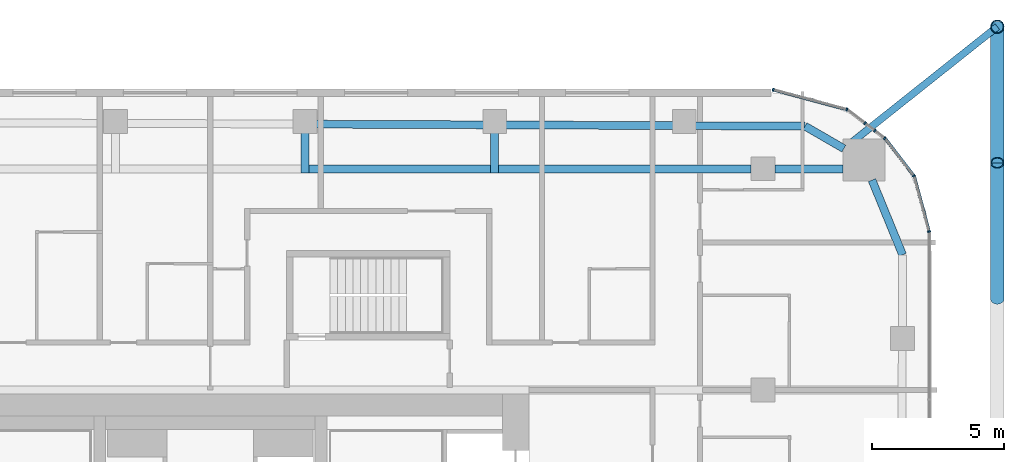
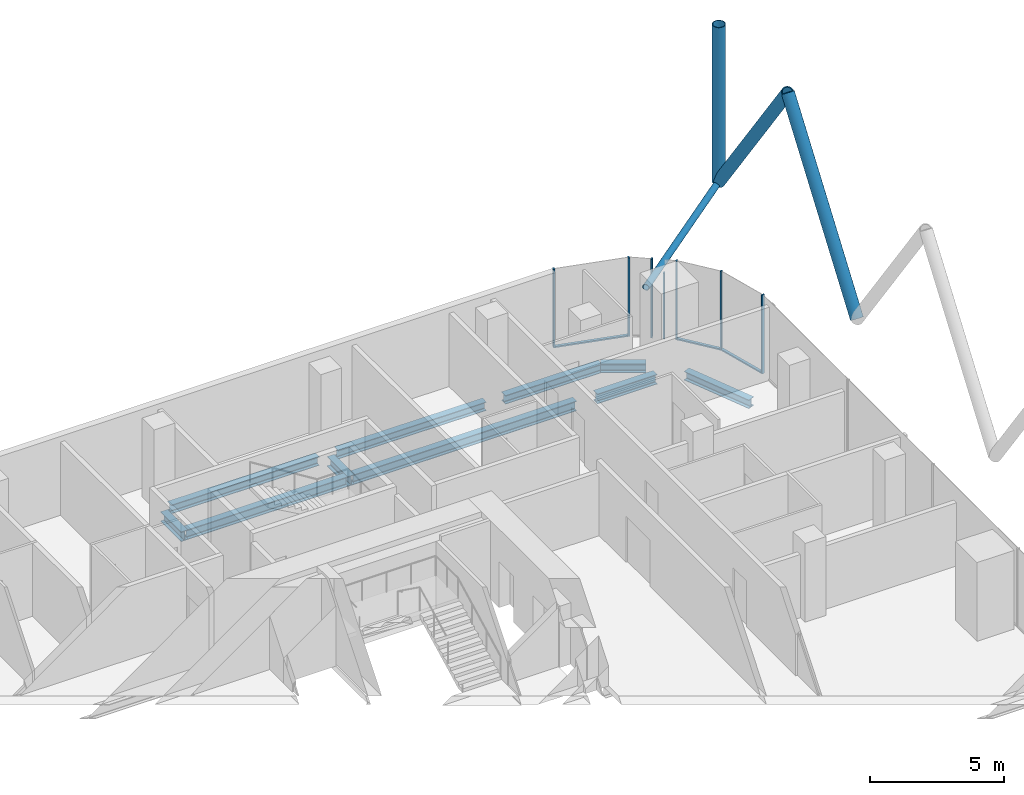
# One storey, part 14 of 33: 14 members, 10 beams, 6 elements without a shape of their own.
"""IFC4 building model written with IfcOpenShell, lengths in metres."""

from ifc_helpers import new_model, si_unit, direction, frame, origin, origin_2d, place, context, subcontext, project, spatial, rectangle, hollow_circle, i_section, extrude, material, layer, layer_set, material_profile, profile_set, type_object, element, aggregate, save


model = new_model("IFC4")

# Units and contexts
model_context = context("Model", 3, precision=1e-05, world=origin(), true_north=direction((0.0, 1.0)))
body_context = subcontext(model_context, "Body", "Model", "MODEL_VIEW")
ifc_project = project(units=[si_unit("LENGTHUNIT", "METRE"), si_unit("AREAUNIT", "SQUARE_METRE"), si_unit("VOLUMEUNIT", "CUBIC_METRE"), si_unit("PLANEANGLEUNIT", "RADIAN"), si_unit("MASSUNIT", "GRAM", prefix="KILO")], contexts=[model_context])

# Site, building, storey
site_placement = place(None, origin())
site = spatial("IfcSite", under=ifc_project, at=site_placement, CompositionType="ELEMENT")
building_placement = place(site_placement, origin())
building = spatial("IfcBuilding", under=site, at=building_placement, Name="Marenta Gate Hotel Tower", CompositionType="ELEMENT")
storey_placement = place(building_placement, frame((0.0, 0.0, 108.5)))
storey = spatial("IfcBuildingStorey", under=building, at=storey_placement, Name="L23", CompositionType="ELEMENT", Elevation=108.5)

# Members
ifc_material_1 = material(Name="Steel S355J2W", Category="steel")
ifc_material_profile_1 = material_profile(ifc_material_1, hollow_circle(Radius=0.25390625, WallThickness=0.02490234375, at=origin_2d()), Name="CHS 508x25")
ifc_profile_set_1 = profile_set([ifc_material_profile_1], Name="Steel S355J2W")
member_type_1 = type_object("IfcMemberType", Name="Diagrid corner post Z2 CHS 508x25", PredefinedType="POST", material=ifc_profile_set_1)
member_1_placement = place(storey_placement, frame((29.89990234375, 30.60009765625, 3.139892578125), z_axis=(0.0, 0.0, 1.0), x_axis=(1.0, 0.0, 0.0)))
element("IfcMember", 1, at=member_1_placement, inside=storey, type_object=member_type_1, Name="L23-DR-1", PredefinedType="POST", context=body_context, shape_type="SweptSolid", body=[
    extrude(hollow_circle(Radius=0.25390625, WallThickness=0.02490234375, at=origin_2d()), origin(), (0.0, 0.0, 1.0), 7.2001953125),
])
ifc_material_2 = material(Name="Steel S355J2W", Category="steel")
ifc_material_profile_2 = material_profile(ifc_material_2, hollow_circle(Radius=0.25390625, WallThickness=0.0400390625, at=origin_2d()), Name="CHS 508x40")
ifc_profile_set_2 = profile_set([ifc_material_profile_2], Name="Steel S355J2W")
member_type_2 = type_object("IfcMemberType", Name="Diagrid diagonal Z2 CHS 508x40", PredefinedType="BRACE", material=ifc_profile_set_2)
member_2_placement = place(storey_placement, frame((29.89990234375, 30.60009765625, 3.139892578125), z_axis=(0.0, -0.583265964901, 0.81228124082), x_axis=(1.0, 0.0, 0.0)))
element("IfcMember", 2, at=member_2_placement, inside=storey, type_object=member_type_2, Name="L23-DG-1", PredefinedType="BRACE", context=body_context, shape_type="SweptSolid", body=[
    extrude(hollow_circle(Radius=0.25390625, WallThickness=0.0400390625, at=origin_2d()), origin(), (0.0, 0.0, 1.0), 8.8642578125),
])
member_3_placement = place(storey_placement, frame((29.89990234375, 20.260009765625, 3.139892578125), z_axis=(0.0, 0.583247791947, 0.812294289767), x_axis=(-1.0, 0.0, 0.0)))
element("IfcMember", 3, at=member_3_placement, inside=storey, type_object=member_type_2, Name="L23-DG-2", PredefinedType="BRACE", context=body_context, shape_type="SweptSolid", body=[
    extrude(hollow_circle(Radius=0.25390625, WallThickness=0.0400390625, at=origin_2d()), origin(), (0.0, 0.0, 1.0), 8.864013671875),
])

# Beams
ifc_material_3 = material(Name="Steel S355", Category="steel")
ifc_material_profile_3 = material_profile(ifc_material_3, i_section(OverallWidth=0.300048828125, OverallDepth=0.39990234375, WebThickness=0.013427734375, FlangeThickness=0.02392578125, FilletRadius=0.027099609375, at=origin_2d()), Name="HEB 400")
ifc_profile_set_3 = profile_set([ifc_material_profile_3], Name="Steel S355")
beam_type_1 = type_object("IfcBeamType", Name="Edge beam HEB 400", PredefinedType="SPANDREL", material=ifc_profile_set_3)
beam_1_placement = place(storey_placement, frame((4.011474609375, 26.89697265625, -0.4599609375), z_axis=(0.999991780119, -0.004054589324, 0.0), x_axis=(0.004054589324, 0.999991780119, 0.0)))
element("IfcBeam", 4, at=beam_1_placement, inside=storey, type_object=beam_type_1, Name="L23-EB-17", PredefinedType="SPANDREL", context=body_context, shape_type="SweptSolid", body=[
    extrude(i_section(OverallWidth=0.300048828125, OverallDepth=0.39990234375, WebThickness=0.013427734375, FlangeThickness=0.02392578125, FilletRadius=0.027099609375, at=origin_2d()), origin(), (0.0, 0.0, 1.0), 6.382568359375),
])
beam_2_placement = place(storey_placement, frame((11.214111328125, 26.86767578125, -0.4599609375), z_axis=(0.999991780748, -0.00405443424, 0.0), x_axis=(0.00405443424, 0.999991780748, 0.0)))
element("IfcBeam", 5, at=beam_2_placement, inside=storey, type_object=beam_type_1, Name="L23-EB-18", PredefinedType="SPANDREL", context=body_context, shape_type="SweptSolid", body=[
    extrude(i_section(OverallWidth=0.300048828125, OverallDepth=0.39990234375, WebThickness=0.013427734375, FlangeThickness=0.02392578125, FilletRadius=0.027099609375, at=origin_2d()), origin(), (0.0, 0.0, 1.0), 6.3828125),
])
beam_3_placement = place(storey_placement, frame((18.4169921875, 26.83837890625, -0.4599609375), z_axis=(0.999991621459, -0.004093532953, 0.0), x_axis=(0.004093532953, 0.999991621459, 0.0)))
element("IfcBeam", 6, at=beam_3_placement, inside=storey, type_object=beam_type_1, Name="L23-EB-19", PredefinedType="SPANDREL", context=body_context, shape_type="SweptSolid", body=[
    extrude(i_section(OverallWidth=0.300048828125, OverallDepth=0.39990234375, WebThickness=0.013427734375, FlangeThickness=0.02392578125, FilletRadius=0.027099609375, at=origin_2d()), origin(), (0.0, 0.0, 1.0), 4.1748046875),
])
beam_4_placement = place(storey_placement, frame((22.591796875, 26.8212890625, -0.4599609375), z_axis=(0.866016478054, -0.500015459501, 0.0), x_axis=(0.500015459501, 0.866016478054, 0.0)))
element("IfcBeam", 7, at=beam_4_placement, inside=storey, type_object=beam_type_1, Name="L23-EB-20", PredefinedType="SPANDREL", context=body_context, shape_type="SweptSolid", body=[
    extrude(i_section(OverallWidth=0.300048828125, OverallDepth=0.39990234375, WebThickness=0.013427734375, FlangeThickness=0.02392578125, FilletRadius=0.027099609375, at=origin_2d()), origin(), (0.0, 0.0, 1.0), 1.70703125),
])
beam_5_placement = place(storey_placement, frame((25.138916015625, 24.7724609375, -0.4599609375), z_axis=(0.378682450416, -0.925526661824, 0.0), x_axis=(0.925526661824, 0.378682450416, 0.0)))
element("IfcBeam", 8, at=beam_5_placement, inside=storey, type_object=beam_type_1, Name="L23-EB-21", PredefinedType="SPANDREL", context=body_context, shape_type="SweptSolid", body=[
    extrude(i_section(OverallWidth=0.300048828125, OverallDepth=0.39990234375, WebThickness=0.013427734375, FlangeThickness=0.02392578125, FilletRadius=0.027099609375, at=origin_2d()), origin(), (0.0, 0.0, 1.0), 3.066162109375),
])

# Member
ifc_material_4 = material(Name="Steel S355J2W", Category="steel")
ifc_material_profile_4 = material_profile(ifc_material_4, hollow_circle(Radius=0.136474609375, WallThickness=0.012451171875, at=origin_2d()), Name="CHS 273x12.5")
ifc_profile_set_4 = profile_set([ifc_material_profile_4], Name="Steel S355J2W")
member_type_3 = type_object("IfcMemberType", Name="Floor tie CHS 273x12.5", PredefinedType="STRUT", material=ifc_profile_set_4)
member_4_placement = place(storey_placement, frame((29.89990234375, 30.60009765625, 3.139892578125), z_axis=(-0.782942525187, -0.622094046149, 0.0), x_axis=(0.622094046149, -0.782942525187, 0.0)))
element("IfcMember", 9, at=member_4_placement, inside=storey, type_object=member_type_3, Name="L23-DR-7", PredefinedType="STRUT", context=body_context, shape_type="SweptSolid", body=[
    extrude(hollow_circle(Radius=0.136474609375, WallThickness=0.012451171875, at=origin_2d()), origin(), (0.0, 0.0, 1.0), 7.43896484375),
])

# Beams
ifc_material_5 = material(Name="Steel S355", Category="steel")
ifc_material_profile_5 = material_profile(ifc_material_5, i_section(OverallWidth=0.300048828125, OverallDepth=0.449951171875, WebThickness=0.013916015625, FlangeThickness=0.02587890625, FilletRadius=0.027099609375, at=origin_2d()), Name="HEB 450")
ifc_profile_set_5 = profile_set([ifc_material_profile_5], Name="Steel S355")
beam_type_2 = type_object("IfcBeamType", Name="Girder HEB 450", PredefinedType="BEAM", material=ifc_profile_set_5)
beam_6_placement = place(storey_placement, frame((3.75146484375, 25.199951171875, -0.485107421875), z_axis=(1.0, 0.0, 0.0), x_axis=(0.0, 1.0, 0.0)))
element("IfcBeam", 10, at=beam_6_placement, inside=storey, type_object=beam_type_2, Name="L23-GD-33", PredefinedType="BEAM", context=body_context, shape_type="SweptSolid", body=[
    extrude(i_section(OverallWidth=0.300048828125, OverallDepth=0.449951171875, WebThickness=0.013916015625, FlangeThickness=0.02587890625, FilletRadius=0.027099609375, at=origin_2d()), origin(), (0.0, 0.0, 1.0), 6.902587890625),
])
beam_7_placement = place(storey_placement, frame((10.9541015625, 25.199951171875, -0.485107421875), z_axis=(1.0, 0.0, 0.0), x_axis=(0.0, 1.0, 0.0)))
element("IfcBeam", 11, at=beam_7_placement, inside=storey, type_object=beam_type_2, Name="L23-GD-34", PredefinedType="BEAM", context=body_context, shape_type="SweptSolid", body=[
    extrude(i_section(OverallWidth=0.300048828125, OverallDepth=0.449951171875, WebThickness=0.013916015625, FlangeThickness=0.02587890625, FilletRadius=0.027099609375, at=origin_2d()), origin(), (0.0, 0.0, 1.0), 9.595947265625),
])
beam_8_placement = place(storey_placement, frame((21.449951171875, 25.199951171875, -0.485107421875), z_axis=(1.0, 0.0, 0.0), x_axis=(0.0, 1.0, 0.0)))
element("IfcBeam", 12, at=beam_8_placement, inside=storey, type_object=beam_type_2, Name="L23-GD-35", PredefinedType="BEAM", context=body_context, shape_type="SweptSolid", body=[
    extrude(i_section(OverallWidth=0.300048828125, OverallDepth=0.449951171875, WebThickness=0.013916015625, FlangeThickness=0.02587890625, FilletRadius=0.027099609375, at=origin_2d()), origin(), (0.0, 0.0, 1.0), 2.58544921875),
])
ifc_material_6 = material(Name="Steel S355", Category="steel")
ifc_material_profile_6 = material_profile(ifc_material_6, i_section(OverallWidth=0.300048828125, OverallDepth=0.449951171875, WebThickness=0.013916015625, FlangeThickness=0.02587890625, FilletRadius=0.027099609375, at=origin_2d()), Name="HEB 450")
ifc_profile_set_6 = profile_set([ifc_material_profile_6], Name="Steel S355")
beam_type_3 = type_object("IfcBeamType", Name="Girder bracket HEB 450", PredefinedType="BEAM", material=ifc_profile_set_6)
for number, where, z_axis, x_axis, name in (
    (13, (3.601318359375, 25.050048828125, -0.485107421875), (0.0, 1.0, 0.0), (-1.0, 0.0, 0.0), "L23-GS-3"),
    (14, (10.80419921875, 25.050048828125, -0.485107421875), (0.0, 1.0, 0.0), (-1.0, 0.0, 0.0), "L23-GS-4"),
):
    element("IfcBeam", number, at=place(storey_placement, frame(where, z_axis=z_axis, x_axis=x_axis)), inside=storey, type_object=beam_type_3, Name=name, PredefinedType="BEAM", context=body_context, shape_type="SweptSolid", body=[
        extrude(i_section(OverallWidth=0.300048828125, OverallDepth=0.449951171875, WebThickness=0.013916015625, FlangeThickness=0.02587890625, FilletRadius=0.027099609375, at=origin_2d()), origin(), (0.0, 0.0, 1.0), 1.5400390625),
    ])

# Curtain wall, member
ifc_material_7 = material(Name="Tinted insulated glass in bronze anodised frame", Category="glass")
ifc_layer = layer(ifc_material_7, 0.1201171875)
ifc_layer_set = layer_set([ifc_layer], Name="Tinted insulated glass in bronze anodised frame")
curtain_wall_type = type_object("IfcCurtainWallType", Name="Tower unitised curtain wall CW1", PredefinedType="NOTDEFINED", material=ifc_layer_set)
curtain_wall_1_placement = place(storey_placement, origin())
curtain_wall_1 = element("IfcCurtainWall", 15, at=curtain_wall_1_placement, inside=storey, type_object=curtain_wall_type, Name="CW1 run G20", PredefinedType="NOTDEFINED")
ifc_material_8 = material(Name="Bronze anodised aluminium", Category="aluminium")
ifc_material_profile_7 = material_profile(ifc_material_8, rectangle(XDim=0.1201171875, YDim=0.06005859375, at=origin_2d()), Name="Mullion CW1 60x120 bronze anodised aluminium")
ifc_profile_set_7 = profile_set([ifc_material_profile_7], Name="Bronze anodised aluminium")
member_type_4 = type_object("IfcMemberType", Name="Mullion CW1 60x120 bronze anodised aluminium", PredefinedType="MULLION", material=ifc_profile_set_7)
member_5_placement = place(storey_placement, frame((27.30615234375, 22.82080078125, 0.0), z_axis=(0.0, 0.0, 1.0), x_axis=(-0.965924859908, -0.258822651658, 0.0)))
member_5 = element("IfcMember", 16, at=member_5_placement, type_object=member_type_4, Name="CW1 mullion 1", PredefinedType="MULLION", context=body_context, shape_type="SweptSolid", body=[
    extrude(rectangle(XDim=0.1201171875, YDim=0.06005859375, at=origin_2d()), origin(), (0.0, 0.0, 1.0), 3.60009765625),
])

curtain_wall_2_placement = place(storey_placement, origin())
curtain_wall_2 = element("IfcCurtainWall", 17, at=curtain_wall_2_placement, inside=storey, type_object=curtain_wall_type, Name="CW1 run G21", PredefinedType="NOTDEFINED")
member_6_placement = place(storey_placement, frame((26.727783203125, 24.93505859375, 0.0), z_axis=(0.0, 0.0, 1.0), x_axis=(-0.793326722289, -0.608796116694, 0.0)))
member_6 = element("IfcMember", 18, at=member_6_placement, type_object=member_type_4, Name="CW1 mullion 1", PredefinedType="MULLION", context=body_context, shape_type="SweptSolid", body=[
    extrude(rectangle(XDim=0.1201171875, YDim=0.06005859375, at=origin_2d()), origin(), (0.0, 0.0, 1.0), 3.60009765625),
])

curtain_wall_3_placement = place(storey_placement, origin())
curtain_wall_3 = element("IfcCurtainWall", 19, at=curtain_wall_3_placement, inside=storey, type_object=curtain_wall_type, Name="CW1 run G22", PredefinedType="NOTDEFINED")
member_7_placement = place(storey_placement, frame((25.62158203125, 26.36376953125, 0.0), z_axis=(0.0, 0.0, 1.0), x_axis=(-0.608778467767, -0.793340265701, 0.0)))
member_7 = element("IfcMember", 20, at=member_7_placement, type_object=member_type_4, Name="CW1 mullion 1", PredefinedType="MULLION", context=body_context, shape_type="SweptSolid", body=[
    extrude(rectangle(XDim=0.1201171875, YDim=0.06005859375, at=origin_2d()), origin(), (0.0, 0.0, 1.0), 3.60009765625),
])
aggregate(curtain_wall_3, [member_7])

curtain_wall_4_placement = place(storey_placement, origin())
curtain_wall_4 = element("IfcCurtainWall", 21, at=curtain_wall_4_placement, inside=storey, type_object=curtain_wall_type, Name="CW1 run G23", PredefinedType="NOTDEFINED")
member_8_placement = place(storey_placement, frame((25.247314453125, 26.651123046875, 0.0), z_axis=(0.0, 0.0, 1.0), x_axis=(-0.608737274752, -0.79337187392, 0.0)))
member_8 = element("IfcMember", 22, at=member_8_placement, type_object=member_type_4, Name="CW1 mullion 1", PredefinedType="MULLION", context=body_context, shape_type="SweptSolid", body=[
    extrude(rectangle(XDim=0.1201171875, YDim=0.06005859375, at=origin_2d()), origin(), (0.0, 0.0, 1.0), 3.00048828125),
])
aggregate(curtain_wall_4, [member_8])

curtain_wall_5_placement = place(storey_placement, origin())
curtain_wall_5 = element("IfcCurtainWall", 23, at=curtain_wall_5_placement, inside=storey, type_object=curtain_wall_type, Name="CW1 run G24", PredefinedType="NOTDEFINED")
member_9_placement = place(storey_placement, frame((24.876953125, 26.935302734375, 0.0), z_axis=(0.0, 0.0, 1.0), x_axis=(-0.608837310591, -0.793295108539, 0.0)))
member_9 = element("IfcMember", 24, at=member_9_placement, type_object=member_type_4, Name="CW1 mullion 1", PredefinedType="MULLION", context=body_context, shape_type="SweptSolid", body=[
    extrude(rectangle(XDim=0.1201171875, YDim=0.06005859375, at=origin_2d()), origin(), (0.0, 0.0, 1.0), 3.60009765625),
])
aggregate(curtain_wall_5, [member_9])

# Curtain wall, members
curtain_wall_6_placement = place(storey_placement, origin())
curtain_wall_6 = element("IfcCurtainWall", 25, at=curtain_wall_6_placement, inside=storey, type_object=curtain_wall_type, Name="CW1 run G25", PredefinedType="NOTDEFINED")
member_10_placement = place(storey_placement, frame((24.182373046875, 27.453857421875, 0.0), z_axis=(0.0, 0.0, 1.0), x_axis=(-0.258805989975, -0.965929324305, 0.0)))
member_10 = element("IfcMember", 26, at=member_10_placement, type_object=member_type_4, Name="CW1 mullion 1", PredefinedType="MULLION", context=body_context, shape_type="SweptSolid", body=[
    extrude(rectangle(XDim=0.1201171875, YDim=0.06005859375, at=origin_2d()), origin(), (0.0, 0.0, 1.0), 3.60009765625),
])
member_11_placement = place(storey_placement, frame((21.385498046875, 28.203125, 0.0), z_axis=(0.0, 0.0, 1.0), x_axis=(-0.258805989975, -0.965929324305, 0.0)))
member_11 = element("IfcMember", 27, at=member_11_placement, type_object=member_type_4, Name="CW1 mullion 2", PredefinedType="MULLION", context=body_context, shape_type="SweptSolid", body=[
    extrude(rectangle(XDim=0.1201171875, YDim=0.06005859375, at=origin_2d()), origin(), (0.0, 0.0, 1.0), 3.60009765625),
])

# Member
ifc_material_9 = material(Name="Bronze anodised aluminium", Category="aluminium")
ifc_material_profile_8 = material_profile(ifc_material_9, rectangle(XDim=0.1201171875, YDim=0.06005859375, at=origin_2d()), Name="Transom CW1 60x120 bronze anodised aluminium")
ifc_profile_set_8 = profile_set([ifc_material_profile_8], Name="Bronze anodised aluminium")
member_type_5 = type_object("IfcMemberType", Name="Transom CW1 60x120 bronze anodised aluminium", PredefinedType="USERDEFINED", material=ifc_profile_set_8)
member_12_placement = place(storey_placement, frame((27.298583984375, 22.849853515625, 0.030029296875), z_axis=(-0.258865686882, 0.965913327455, 0.0), x_axis=(-0.965913327455, -0.258865686882, 0.0)))
member_12 = element("IfcMember", 28, at=member_12_placement, type_object=member_type_5, Name="CW1 transom 1.1", ObjectType="TRANSOM", PredefinedType="USERDEFINED", context=body_context, shape_type="SweptSolid", body=[
    extrude(rectangle(XDim=0.1201171875, YDim=0.06005859375, at=origin_2d()), origin(), (0.0, 0.0, 1.0), 2.13427734375),
])

aggregate(curtain_wall_1, [member_5, member_12])

member_13_placement = place(storey_placement, frame((26.70947265625, 24.958984375, 0.030029296875), z_axis=(-0.608792205599, 0.793329723634, 0.0), x_axis=(-0.793329723634, -0.608792205599, 0.0)))
member_13 = element("IfcMember", 29, at=member_13_placement, type_object=member_type_5, Name="CW1 transom 1.1", ObjectType="TRANSOM", PredefinedType="USERDEFINED", context=body_context, shape_type="SweptSolid", body=[
    extrude(rectangle(XDim=0.1201171875, YDim=0.06005859375, at=origin_2d()), origin(), (0.0, 0.0, 1.0), 1.74755859375),
])

aggregate(curtain_wall_2, [member_6, member_13])

member_14_placement = place(storey_placement, frame((24.1533203125, 27.461669921875, 0.030029296875), z_axis=(-0.965922684272, 0.258830770986, 0.0), x_axis=(-0.258830770986, -0.965922684272, 0.0)))
member_14 = element("IfcMember", 30, at=member_14_placement, type_object=member_type_5, Name="CW1 transom 1.1", ObjectType="TRANSOM", PredefinedType="USERDEFINED", context=body_context, shape_type="SweptSolid", body=[
    extrude(rectangle(XDim=0.1201171875, YDim=0.06005859375, at=origin_2d()), origin(), (0.0, 0.0, 1.0), 2.83544921875),
])

aggregate(curtain_wall_6, [member_10, member_11, member_14])

save(model, "model.ifc")
